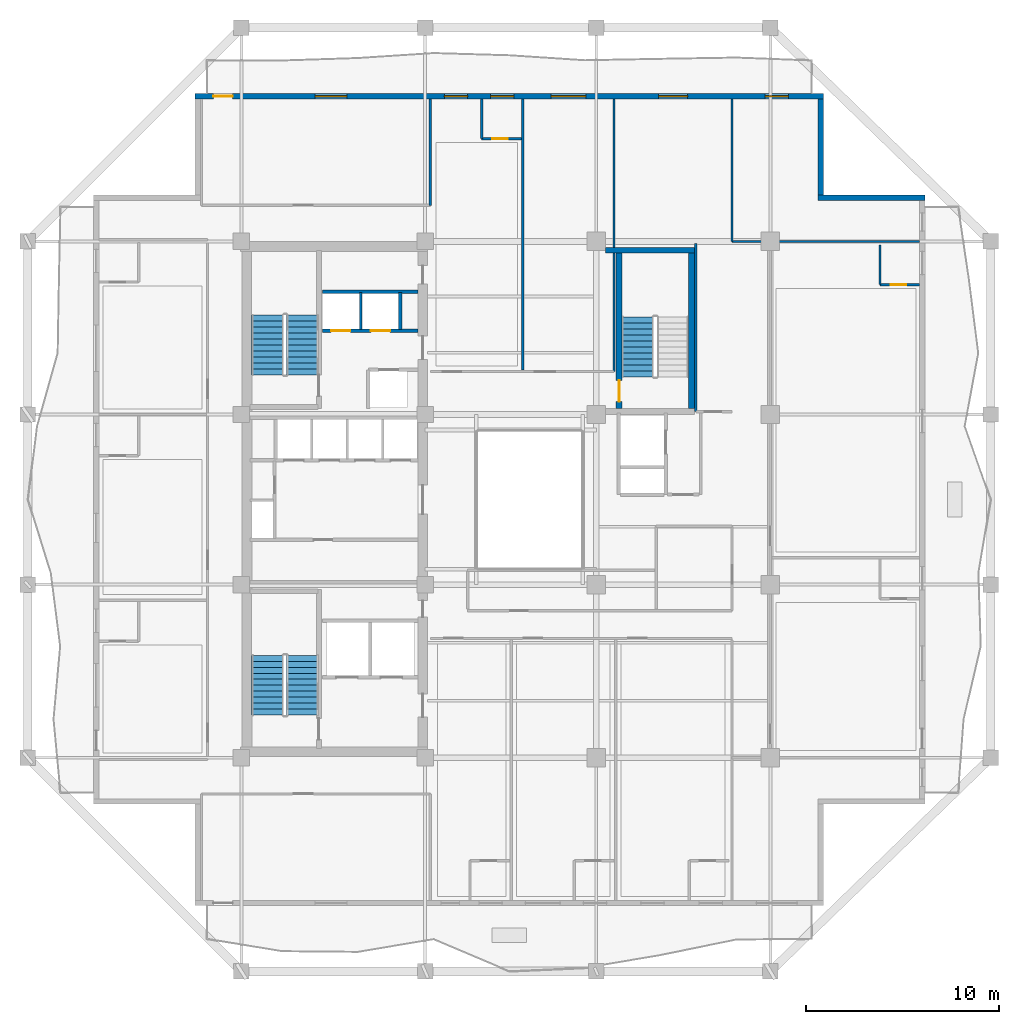
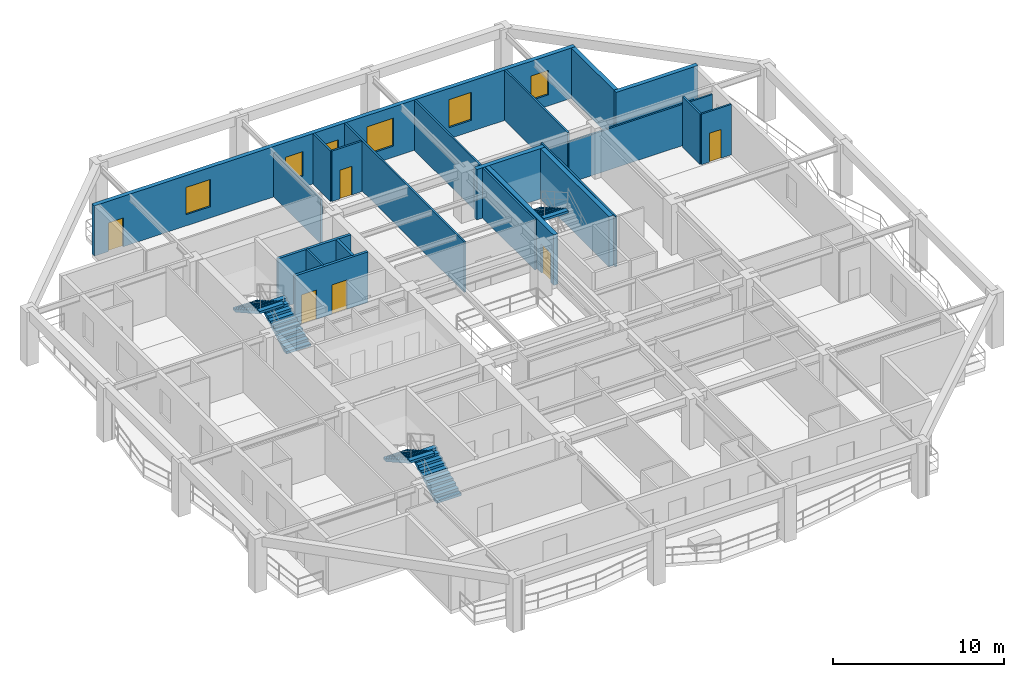
# One storey, part 6 of 12: 20 walls, 6 doors, 6 windows, 5 stair flights, 12 openings, 3 elements without a shape of their own.
"""IFC4 building model written with IfcOpenShell, lengths in metres."""

from ifc_helpers import new_model, si_unit, direction, frame, frame_2d, origin, place, context, subcontext, project, spatial, polyline, rectangle, outline, extrude, material, layer, layer_set, type_object, element, fill, aggregate, save


model = new_model("IFC4")

# Units and contexts
model_context = context("Model", 3, precision=1e-05, world=origin(), true_north=direction((0.0, 1.0)))
body_context = subcontext(model_context, "Body", "Model", "MODEL_VIEW")
ifc_project = project(units=[si_unit("LENGTHUNIT", "METRE"), si_unit("AREAUNIT", "SQUARE_METRE"), si_unit("VOLUMEUNIT", "CUBIC_METRE"), si_unit("PLANEANGLEUNIT", "RADIAN"), si_unit("MASSUNIT", "GRAM", prefix="KILO")], contexts=[model_context])

# Site, building, storey
site_placement = place(None, origin())
site = spatial("IfcSite", under=ifc_project, at=site_placement, CompositionType="ELEMENT")
building_placement = place(site_placement, origin())
building = spatial("IfcBuilding", under=site, at=building_placement, Name="Kundavana Baori Tower", CompositionType="ELEMENT")
storey_placement = place(building_placement, frame((0.0, 0.0, 173.300048828125)))
storey = spatial("IfcBuildingStorey", under=building, at=storey_placement, Name="L42", CompositionType="ELEMENT", Elevation=173.300048828125)

# Walls
ifc_material_1 = material(Name="Red-Buff Dholpur Sandstone Cladding on Concrete C40/50", Category="masonry")
ifc_layer_1 = layer(ifc_material_1, 0.280029296875, Name="WL-EXT-SAND-280")
ifc_layer_set_1 = layer_set([ifc_layer_1], Name="Red-Buff Dholpur Sandstone Cladding on Concrete C40/50")
wall_type_1 = type_object("IfcWallType", Name="WL-EXT-SAND-280", PredefinedType="STANDARD", material=ifc_layer_set_1)
wall_1_placement = place(storey_placement, frame((50.800048828125, 44.2099609375, 0.0), z_axis=(0.0, 0.0, 1.0), x_axis=(-1.0, 0.0, 0.0)))
element("IfcWall", 1, at=wall_1_placement, inside=storey, type_object=wall_type_1, Name="L42 Exterior Insulated Facade Wall 05", PredefinedType="STANDARD", context=body_context, shape_type="SweptSolid", body=[
    extrude(rectangle(XDim=5.530029296875, YDim=0.280029296875, at=frame_2d((2.76513671875, 0.0))), origin(), (0.0, 0.0, 1.0), 3.599853515625),
])
wall_2_placement = place(storey_placement, frame((45.409912109375, 44.35009765625, 0.0), z_axis=(0.0, 0.0, 1.0), x_axis=(0.0, 1.0, 0.0)))
element("IfcWall", 2, at=wall_2_placement, inside=storey, type_object=wall_type_1, Name="L42 Exterior Insulated Facade Wall 06", PredefinedType="STANDARD", context=body_context, shape_type="SweptSolid", body=[
    extrude(rectangle(XDim=4.969970703125, YDim=0.280029296875, at=frame_2d((2.48486328125, 0.0))), origin(), (0.0, 0.0, 1.0), 3.599853515625),
])

# Wall, openings, door, windows
wall_3_placement = place(storey_placement, frame((45.550048828125, 49.4599609375, 0.0), z_axis=(0.0, 0.0, 1.0), x_axis=(-1.0, 0.0, 0.0)))
wall_3 = element("IfcWall", 3, at=wall_3_placement, inside=storey, type_object=wall_type_1, Name="L42 Exterior Insulated Facade Wall 07", PredefinedType="STANDARD", context=body_context, shape_type="SweptSolid", body=[
    extrude(rectangle(XDim=32.5, YDim=0.280029296875, at=frame_2d((16.25, 0.0))), origin(), (0.0, 0.0, 1.0), 3.599853515625),
])
opening_1_placement = place(wall_3_placement, frame((30.550048828125, 0.0, 0.0)))
opening_1 = element("IfcOpeningElement", 4, at=opening_1_placement, cuts=wall_3, Name="Opening BD-1", PredefinedType="OPENING", context=body_context, shape_type="SweptSolid", body=[
    extrude(rectangle(XDim=1.0, YDim=2.050048828125, at=frame_2d((0.5, 1.02490234375))), frame((0.0, 0.14990234375, 0.0), z_axis=(0.0, -1.0, 0.0), x_axis=(1.0, 0.0, 0.0)), (0.0, 0.0, 1.0), 0.300048828125),
])
opening_2_placement = place(wall_3_placement, frame((24.64501953125, 0.0, 0.800048828125)))
opening_2 = element("IfcOpeningElement", 5, at=opening_2_placement, cuts=wall_3, Name="Opening W-08", PredefinedType="OPENING", context=body_context, shape_type="SweptSolid", body=[
    extrude(rectangle(XDim=1.64990234375, YDim=1.949951171875, at=frame_2d((0.824951171875, 0.97509765625))), frame((0.0, 0.14990234375, 0.0), z_axis=(0.0, -1.0, 0.0), x_axis=(1.0, 0.0, 0.0)), (0.0, 0.0, 1.0), 0.300048828125),
])
opening_3_placement = place(wall_3_placement, frame((18.405029296875, 0.0, 0.800048828125)))
opening_3 = element("IfcOpeningElement", 6, at=opening_3_placement, cuts=wall_3, Name="Opening W-03", PredefinedType="OPENING", context=body_context, shape_type="SweptSolid", body=[
    extrude(rectangle(XDim=1.199951171875, YDim=1.75, at=frame_2d((0.60009765625, 0.875))), frame((0.0, 0.14990234375, 0.0), z_axis=(0.0, -1.0, 0.0), x_axis=(1.0, 0.0, 0.0)), (0.0, 0.0, 1.0), 0.300048828125),
])
opening_4_placement = place(wall_3_placement, frame((16.014892578125, 0.0, 0.800048828125)))
opening_4 = element("IfcOpeningElement", 7, at=opening_4_placement, cuts=wall_3, Name="Opening W-03", PredefinedType="OPENING", context=body_context, shape_type="SweptSolid", body=[
    extrude(rectangle(XDim=1.199951171875, YDim=1.75, at=frame_2d((0.60009765625, 0.875))), frame((0.0, 0.14990234375, 0.0), z_axis=(0.0, -1.0, 0.0), x_axis=(1.0, 0.0, 0.0)), (0.0, 0.0, 1.0), 0.300048828125),
])
opening_5_placement = place(wall_3_placement, frame((12.2900390625, 0.0, 0.800048828125)))
opening_5 = element("IfcOpeningElement", 8, at=opening_5_placement, cuts=wall_3, Name="Opening W-01", PredefinedType="OPENING", context=body_context, shape_type="SweptSolid", body=[
    extrude(rectangle(XDim=1.800048828125, YDim=2.0, at=frame_2d((0.89990234375, 1.0))), frame((0.0, 0.14990234375, 0.0), z_axis=(0.0, -1.0, 0.0), x_axis=(1.0, 0.0, 0.0)), (0.0, 0.0, 1.0), 0.300048828125),
])
opening_6_placement = place(wall_3_placement, frame((7.030029296875, 0.0, 0.800048828125)))
opening_6 = element("IfcOpeningElement", 9, at=opening_6_placement, cuts=wall_3, Name="Opening W-02", PredefinedType="OPENING", context=body_context, shape_type="SweptSolid", body=[
    extrude(rectangle(XDim=1.5, YDim=2.0, at=frame_2d((0.75, 1.0))), frame((0.0, 0.14990234375, 0.0), z_axis=(0.0, -1.0, 0.0), x_axis=(1.0, 0.0, 0.0)), (0.0, 0.0, 1.0), 0.300048828125),
])
opening_7_placement = place(wall_3_placement, frame((1.820068359375, 0.0, 0.800048828125)))
opening_7 = element("IfcOpeningElement", 10, at=opening_7_placement, cuts=wall_3, Name="Opening W-03", PredefinedType="OPENING", context=body_context, shape_type="SweptSolid", body=[
    extrude(rectangle(XDim=1.199951171875, YDim=1.75, at=frame_2d((0.60009765625, 0.875))), frame((0.0, 0.14990234375, 0.0), z_axis=(0.0, -1.0, 0.0), x_axis=(1.0, 0.0, 0.0)), (0.0, 0.0, 1.0), 0.300048828125),
])
ifc_material_2 = material(Name="Architectural Patinated Bronze Metalwork")
door_type_1 = type_object("IfcDoorType", Name="DR-EXT-LOG-1000", OperationType="NOTDEFINED", PredefinedType="DOOR", material=ifc_material_2)
door_1_placement = place(opening_1_placement, frame((1.0, 0.0, 0.0), z_axis=(0.0, 0.0, 1.0), x_axis=(-1.0, 0.0, 0.0)))
door_1 = element("IfcDoor", 11, at=door_1_placement, inside=storey, type_object=door_type_1, Name="L42 Loggia Balcony Access Door N", OperationType="SINGLE_SWING_LEFT", OverallHeight=2.050048828125, OverallWidth=1.0, PredefinedType="DOOR", context=body_context, shape_type="SweptSolid", body=[
    extrude(rectangle(XDim=1.0, YDim=2.050048828125, at=frame_2d((0.5, 1.02490234375))), frame((0.0, 0.02490234375, 0.0), z_axis=(0.0, -1.0, 0.0), x_axis=(1.0, 0.0, 0.0)), (0.0, 0.0, 1.0), 0.050048828125),
])
fill(opening_1, door_1)
ifc_material_3 = material(Name="Double-Glazed Solar-Control Low-E Insulated Glass", Category="glass")
window_type_1 = type_object("IfcWindowType", Name="WIN-LOG-1200x1750", PartitioningType="SINGLE_PANEL", PredefinedType="WINDOW", material=ifc_material_3)
window_1_placement = place(opening_3_placement, origin())
window_1 = element("IfcWindow", 12, at=window_1_placement, inside=storey, type_object=window_type_1, Name="L42 Recessed Loggia Window N-2", OverallHeight=1.75, OverallWidth=1.199951171875, PartitioningType="SINGLE_PANEL", PredefinedType="WINDOW", context=body_context, shape_type="SweptSolid", body=[
    extrude(rectangle(XDim=1.199951171875, YDim=1.75, at=frame_2d((0.60009765625, 0.875))), frame((0.0, 0.030029296875, 0.0), z_axis=(0.0, -1.0, 0.0), x_axis=(1.0, 0.0, 0.0)), (0.0, 0.0, 1.0), 0.06005859375),
])
fill(opening_3, window_1)
window_2_placement = place(opening_4_placement, origin())
window_2 = element("IfcWindow", 13, at=window_2_placement, inside=storey, type_object=window_type_1, Name="L42 Recessed Loggia Window N-3", OverallHeight=1.75, OverallWidth=1.199951171875, PartitioningType="SINGLE_PANEL", PredefinedType="WINDOW", context=body_context, shape_type="SweptSolid", body=[
    extrude(rectangle(XDim=1.199951171875, YDim=1.75, at=frame_2d((0.60009765625, 0.875))), frame((0.0, 0.030029296875, 0.0), z_axis=(0.0, -1.0, 0.0), x_axis=(1.0, 0.0, 0.0)), (0.0, 0.0, 1.0), 0.06005859375),
])
fill(opening_4, window_2)
window_3_placement = place(opening_7_placement, origin())
window_3 = element("IfcWindow", 14, at=window_3_placement, inside=storey, type_object=window_type_1, Name="L42 Recessed Loggia Window N-6", OverallHeight=1.75, OverallWidth=1.199951171875, PartitioningType="SINGLE_PANEL", PredefinedType="WINDOW", context=body_context, shape_type="SweptSolid", body=[
    extrude(rectangle(XDim=1.199951171875, YDim=1.75, at=frame_2d((0.60009765625, 0.875))), frame((0.0, 0.030029296875, 0.0), z_axis=(0.0, -1.0, 0.0), x_axis=(1.0, 0.0, 0.0)), (0.0, 0.0, 1.0), 0.06005859375),
])
fill(opening_7, window_3)
ifc_material_4 = material(Name="Double-Glazed Solar-Control Low-E Insulated Glass", Category="glass")
window_type_2 = type_object("IfcWindowType", Name="WIN-LOG-1500x2000", PartitioningType="SINGLE_PANEL", PredefinedType="WINDOW", material=ifc_material_4)
window_4_placement = place(opening_6_placement, origin())
window_4 = element("IfcWindow", 15, at=window_4_placement, inside=storey, type_object=window_type_2, Name="L42 Recessed Loggia Window N-5", OverallHeight=2.0, OverallWidth=1.5, PartitioningType="SINGLE_PANEL", PredefinedType="WINDOW", context=body_context, shape_type="SweptSolid", body=[
    extrude(rectangle(XDim=1.5, YDim=2.0, at=frame_2d((0.75, 1.0))), frame((0.0, 0.030029296875, 0.0), z_axis=(0.0, -1.0, 0.0), x_axis=(1.0, 0.0, 0.0)), (0.0, 0.0, 1.0), 0.06005859375),
])
fill(opening_6, window_4)
ifc_material_5 = material(Name="Double-Glazed Solar-Control Low-E Insulated Glass", Category="glass")
window_type_3 = type_object("IfcWindowType", Name="WIN-LOG-1650x1950", PartitioningType="SINGLE_PANEL", PredefinedType="WINDOW", material=ifc_material_5)
window_5_placement = place(opening_2_placement, origin())
window_5 = element("IfcWindow", 16, at=window_5_placement, inside=storey, type_object=window_type_3, Name="L42 Recessed Loggia Window N-1", OverallHeight=1.949951171875, OverallWidth=1.64990234375, PartitioningType="SINGLE_PANEL", PredefinedType="WINDOW", context=body_context, shape_type="SweptSolid", body=[
    extrude(rectangle(XDim=1.64990234375, YDim=1.949951171875, at=frame_2d((0.824951171875, 0.97509765625))), frame((0.0, 0.030029296875, 0.0), z_axis=(0.0, -1.0, 0.0), x_axis=(1.0, 0.0, 0.0)), (0.0, 0.0, 1.0), 0.06005859375),
])
fill(opening_2, window_5)
ifc_material_6 = material(Name="Double-Glazed Solar-Control Low-E Insulated Glass", Category="glass")
window_type_4 = type_object("IfcWindowType", Name="WIN-LOG-1800x2000", PartitioningType="SINGLE_PANEL", PredefinedType="WINDOW", material=ifc_material_6)
window_6_placement = place(opening_5_placement, origin())
window_6 = element("IfcWindow", 17, at=window_6_placement, inside=storey, type_object=window_type_4, Name="L42 Recessed Loggia Window N-4", OverallHeight=2.0, OverallWidth=1.800048828125, PartitioningType="SINGLE_PANEL", PredefinedType="WINDOW", context=body_context, shape_type="SweptSolid", body=[
    extrude(rectangle(XDim=1.800048828125, YDim=2.0, at=frame_2d((0.89990234375, 1.0))), frame((0.0, 0.030029296875, 0.0), z_axis=(0.0, -1.0, 0.0), x_axis=(1.0, 0.0, 0.0)), (0.0, 0.0, 1.0), 0.06005859375),
])
fill(opening_5, window_6)

# Walls
ifc_material_7 = material(Name="Acoustic Gypsum Plasterboard on Galvanised Steel Studs", Category="steel")
ifc_layer_2 = layer(ifc_material_7, 0.1201171875, Name="WL-PART-120")
ifc_layer_set_2 = layer_set([ifc_layer_2], Name="Acoustic Gypsum Plasterboard on Galvanised Steel Studs")
wall_type_2 = type_object("IfcWallType", Name="WL-PART-120", PredefinedType="PARTITIONING", material=ifc_layer_set_2)
wall_4_placement = place(storey_placement, frame((21.6201171875, 37.39990234375, 0.0), z_axis=(0.0, 0.0, 1.0), x_axis=(0.0, 1.0, 0.0)))
element("IfcWall", 18, at=wall_4_placement, inside=storey, type_object=wall_type_2, Name="WL-L42-HR-DIV1", PredefinedType="PARTITIONING", context=body_context, shape_type="SweptSolid", body=[
    extrude(rectangle(XDim=1.900146484375, YDim=0.1201171875, at=frame_2d((0.9501953125, 0.0))), origin(), (0.0, 0.0, 1.0), 3.599853515625),
])
wall_5_placement = place(storey_placement, frame((40.820068359375, 41.949951171875, 0.0), z_axis=(0.0, 0.0, 1.0), x_axis=(1.0, 0.0, 0.0)))
element("IfcWall", 19, at=wall_5_placement, inside=storey, type_object=wall_type_2, Name="WL-L42-HEN", PredefinedType="PARTITIONING", context=body_context, shape_type="SweptSolid", body=[
    extrude(rectangle(XDim=9.699951171875, YDim=0.1201171875, at=frame_2d((4.85009765625, 0.0))), origin(), (0.0, 0.0, 1.0), 2.949951171875),
])
wall_6_placement = place(storey_placement, frame((25.219970703125, 43.820068359375, 0.0), z_axis=(0.0, 0.0, 1.0), x_axis=(0.0, 1.0, 0.0)))
element("IfcWall", 20, at=wall_6_placement, inside=storey, type_object=wall_type_2, Name="WL-L42-HNCE", PredefinedType="PARTITIONING", context=body_context, shape_type="SweptSolid", body=[
    extrude(rectangle(XDim=5.5, YDim=0.1201171875, at=frame_2d((2.75, 0.0))), origin(), (0.0, 0.0, 1.0), 3.14990234375),
])
wall_7_placement = place(storey_placement, frame((34.719970703125, 35.219970703125, 0.0), z_axis=(0.0, 0.0, 1.0), x_axis=(0.0, 1.0, 0.0)))
element("IfcWall", 21, at=wall_7_placement, inside=storey, type_object=wall_type_2, Name="WL-L42-HNEND", PredefinedType="PARTITIONING", context=body_context, shape_type="SweptSolid", body=[
    extrude(rectangle(XDim=14.10009765625, YDim=0.1201171875, at=frame_2d((7.050048828125, 0.0))), origin(), (0.0, 0.0, 1.0), 3.599853515625),
])
wall_8_placement = place(storey_placement, frame((30.0, 35.300048828125, 0.0), z_axis=(0.0, 0.0, 1.0), x_axis=(0.0, 1.0, 0.0)))
element("IfcWall", 22, at=wall_8_placement, inside=storey, type_object=wall_type_2, Name="WL-L42-HND1", PredefinedType="PARTITIONING", context=body_context, shape_type="SweptSolid", body=[
    extrude(rectangle(XDim=14.02001953125, YDim=0.1201171875, at=frame_2d((7.010009765625, 0.0))), origin(), (0.0, 0.0, 1.0), 3.599853515625),
])
wall_9_placement = place(storey_placement, frame((38.949951171875, 33.14990234375, 0.0), z_axis=(0.0, 0.0, 1.0), x_axis=(0.0, 1.0, 0.0)))
element("IfcWall", 23, at=wall_9_placement, inside=storey, type_object=wall_type_2, Name="WL-L42-HNEW", PredefinedType="PARTITIONING", context=body_context, shape_type="SweptSolid", body=[
    extrude(rectangle(XDim=8.7001953125, YDim=0.1201171875, at=frame_2d((4.35009765625, 0.0))), origin(), (0.0, 0.0, 1.0), 3.599853515625),
])
wall_10_placement = place(storey_placement, frame((40.820068359375, 41.949951171875, 0.0), z_axis=(0.0, 0.0, 1.0), x_axis=(0.0, 1.0, 0.0)))
element("IfcWall", 24, at=wall_10_placement, inside=storey, type_object=wall_type_2, Name="WL-L42-HNEE", PredefinedType="PARTITIONING", context=body_context, shape_type="SweptSolid", body=[
    extrude(rectangle(XDim=7.3701171875, YDim=0.1201171875, at=frame_2d((3.68505859375, 0.0))), origin(), (0.0, 0.0, 1.0), 3.599853515625),
])

# Wall, openings, doors
ifc_material_8 = material(Name="Autoclaved Aerated Concrete Blockwork Masonry", Category="masonry")
ifc_layer_3 = layer(ifc_material_8, 0.179931640625, Name="WL-SHAFT-180")
ifc_layer_set_3 = layer_set([ifc_layer_3], Name="Autoclaved Aerated Concrete Blockwork Masonry")
wall_type_3 = type_object("IfcWallType", Name="WL-SHAFT-180", PredefinedType="SOLIDWALL", material=ifc_layer_set_3)
wall_11_placement = place(storey_placement, frame((19.639892578125, 37.340087890625, 0.0), z_axis=(0.0, 0.0, 1.0), x_axis=(1.0, 0.0, 0.0)))
wall_11 = element("IfcWall", 25, at=wall_11_placement, inside=storey, type_object=wall_type_3, Name="WL-L42-HRLOB-N", PredefinedType="SOLIDWALL", context=body_context, shape_type="SweptSolid", body=[
    extrude(rectangle(XDim=4.940185546875, YDim=0.179931640625, at=frame_2d((2.47021484375, 0.0))), origin(), (0.0, 0.0, 1.0), 3.599853515625),
])
opening_8_placement = place(wall_11_placement, frame((0.449951171875, 0.0, 0.0)))
opening_8 = element("IfcOpeningElement", 26, at=opening_8_placement, cuts=wall_11, Name="Opening LD-100", PredefinedType="OPENING", context=body_context, shape_type="SweptSolid", body=[
    extrude(rectangle(XDim=1.0, YDim=2.10009765625, at=frame_2d((0.5, 1.050048828125))), frame((0.0, 0.10009765625, 0.0), z_axis=(0.0, -1.0, 0.0), x_axis=(1.0, 0.0, 0.0)), (0.0, 0.0, 1.0), 0.199951171875),
])
opening_9_placement = place(wall_11_placement, frame((2.5, 0.0, 0.0)))
opening_9 = element("IfcOpeningElement", 27, at=opening_9_placement, cuts=wall_11, Name="Opening LD-100", PredefinedType="OPENING", context=body_context, shape_type="SweptSolid", body=[
    extrude(rectangle(XDim=1.0, YDim=2.10009765625, at=frame_2d((0.5, 1.050048828125))), frame((0.0, 0.10009765625, 0.0), z_axis=(0.0, -1.0, 0.0), x_axis=(1.0, 0.0, 0.0)), (0.0, 0.0, 1.0), 0.199951171875),
])
ifc_material_9 = material(Name="Galvanised Steel Fire-Rated Door Leaf", Category="steel")
door_type_2 = type_object("IfcDoorType", Name="DR-SLIDE-LD1000", OperationType="NOTDEFINED", PredefinedType="DOOR", material=ifc_material_9)
door_2_placement = place(opening_8_placement, frame((1.0, 0.0, 0.0), z_axis=(0.0, 0.0, 1.0), x_axis=(-1.0, 0.0, 0.0)))
door_2 = element("IfcDoor", 28, at=door_2_placement, inside=storey, type_object=door_type_2, Name="DR-L42-LD-LP09", OperationType="DOUBLE_DOOR_SLIDING", OverallHeight=2.10009765625, OverallWidth=1.0, PredefinedType="DOOR", context=body_context, shape_type="SweptSolid", body=[
    extrude(rectangle(XDim=1.0, YDim=2.10009765625, at=frame_2d((0.5, 1.050048828125))), frame((0.0, 0.02490234375, 0.0), z_axis=(0.0, -1.0, 0.0), x_axis=(1.0, 0.0, 0.0)), (0.0, 0.0, 1.0), 0.050048828125),
])
fill(opening_8, door_2)
door_3_placement = place(opening_9_placement, frame((1.0, 0.0, 0.0), z_axis=(0.0, 0.0, 1.0), x_axis=(-1.0, 0.0, 0.0)))
door_3 = element("IfcDoor", 29, at=door_3_placement, inside=storey, type_object=door_type_2, Name="DR-L42-LD-LP10", OperationType="DOUBLE_DOOR_SLIDING", OverallHeight=2.10009765625, OverallWidth=1.0, PredefinedType="DOOR", context=body_context, shape_type="SweptSolid", body=[
    extrude(rectangle(XDim=1.0, YDim=2.10009765625, at=frame_2d((0.5, 1.050048828125))), frame((0.0, 0.02490234375, 0.0), z_axis=(0.0, -1.0, 0.0), x_axis=(1.0, 0.0, 0.0)), (0.0, 0.0, 1.0), 0.050048828125),
])
fill(opening_9, door_3)

# Walls
wall_12_placement = place(storey_placement, frame((19.639892578125, 39.360107421875, 0.0), z_axis=(0.0, 0.0, 1.0), x_axis=(1.0, 0.0, 0.0)))
element("IfcWall", 30, at=wall_12_placement, inside=storey, type_object=wall_type_3, Name="WL-L42-HRLOB-TOP", PredefinedType="SOLIDWALL", context=body_context, shape_type="SweptSolid", body=[
    extrude(rectangle(XDim=4.940185546875, YDim=0.179931640625, at=frame_2d((2.47021484375, 0.0))), origin(), (0.0, 0.0, 1.0), 3.599853515625),
])
wall_13_placement = place(storey_placement, frame((23.659912109375, 37.39990234375, 0.0), z_axis=(0.0, 0.0, 1.0), x_axis=(0.0, 1.0, 0.0)))
element("IfcWall", 31, at=wall_13_placement, inside=storey, type_object=wall_type_3, Name="WL-L42-HR-DIV2", PredefinedType="SOLIDWALL", context=body_context, shape_type="SweptSolid", body=[
    extrude(rectangle(XDim=1.900146484375, YDim=0.179931640625, at=frame_2d((0.9501953125, 0.0))), origin(), (0.0, 0.0, 1.0), 3.599853515625),
])
ifc_material_10 = material(Name="Concrete C50/60", Category="concrete")
ifc_layer_4 = layer(ifc_material_10, 0.300048828125, Name="WL-ST3-300")
ifc_layer_set_4 = layer_set([ifc_layer_4], Name="Concrete C50/60")
wall_type_4 = type_object("IfcWallType", Name="WL-ST3-300", PredefinedType="SHEAR", material=ifc_layer_set_4)
wall_14_placement = place(storey_placement, frame((34.27490234375, 41.489990234375, 0.0), z_axis=(0.0, 0.0, 1.0), x_axis=(1.0, 0.0, 0.0)))
element("IfcWall", 32, at=wall_14_placement, inside=storey, type_object=wall_type_4, Name="L42 Stair ST3 North Shear Wall", PredefinedType="SHEAR", context=body_context, shape_type="SweptSolid", body=[
    extrude(rectangle(XDim=4.59521484375, YDim=0.300048828125, at=frame_2d((2.297607421875, 0.0))), origin(), (0.0, 0.0, 1.0), 3.599853515625),
])

# Wall, opening, door
wall_15_placement = place(storey_placement, frame((34.97998046875, 33.31005859375, 0.0), z_axis=(0.0, 0.0, 1.0), x_axis=(0.0, 1.0, 0.0)))
wall_15 = element("IfcWall", 33, at=wall_15_placement, inside=storey, type_object=wall_type_4, Name="L42 Stair ST3 West Shear Wall", PredefinedType="SHEAR", context=body_context, shape_type="SweptSolid", body=[
    extrude(rectangle(XDim=8.030029296875, YDim=0.300048828125, at=frame_2d((4.01513671875, 0.0))), origin(), (0.0, 0.0, 1.0), 3.599853515625),
])
opening_10_placement = place(wall_15_placement, frame((0.35009765625, 0.0, 0.0)))
opening_10 = element("IfcOpeningElement", 34, at=opening_10_placement, cuts=wall_15, Name="Opening FD-110", PredefinedType="OPENING", context=body_context, shape_type="SweptSolid", body=[
    extrude(rectangle(XDim=1.10009765625, YDim=2.10009765625, at=frame_2d((0.550048828125, 1.050048828125))), frame((0.0, 0.16015625, 0.0), z_axis=(0.0, -1.0, 0.0), x_axis=(1.0, 0.0, 0.0)), (0.0, 0.0, 1.0), 0.320068359375),
])
ifc_material_11 = material(Name="Galvanised Steel Fire-Rated Door Leaf", Category="steel")
door_type_3 = type_object("IfcDoorType", Name="DR-FD120-1100", OperationType="NOTDEFINED", PredefinedType="DOOR", material=ifc_material_11)
door_4_placement = place(opening_10_placement, origin())
door_4 = element("IfcDoor", 35, at=door_4_placement, inside=storey, type_object=door_type_3, Name="DR-L42-ST3-W", OperationType="SINGLE_SWING_LEFT", OverallHeight=2.10009765625, OverallWidth=1.10009765625, PredefinedType="DOOR", context=body_context, shape_type="SweptSolid", body=[
    extrude(rectangle(XDim=1.10009765625, YDim=2.10009765625, at=frame_2d((0.550048828125, 1.050048828125))), frame((0.0, 0.02490234375, 0.0), z_axis=(0.0, -1.0, 0.0), x_axis=(1.0, 0.0, 0.0)), (0.0, 0.0, 1.0), 0.050048828125),
])
fill(opening_10, door_4)

# Walls
wall_16_placement = place(storey_placement, frame((38.719970703125, 33.31005859375, 0.0), z_axis=(0.0, 0.0, 1.0), x_axis=(0.0, 1.0, 0.0)))
element("IfcWall", 36, at=wall_16_placement, inside=storey, type_object=wall_type_4, Name="L42 Stair ST3 East Shear Wall", PredefinedType="SHEAR", context=body_context, shape_type="SweptSolid", body=[
    extrude(rectangle(XDim=8.030029296875, YDim=0.300048828125, at=frame_2d((4.01513671875, 0.0))), origin(), (0.0, 0.0, 1.0), 3.599853515625),
])
ifc_material_12 = material(Name="Autoclaved Aerated Concrete Blockwork Masonry", Category="masonry")
ifc_layer_5 = layer(ifc_material_12, 0.125, Name="WL-WET-120")
ifc_layer_set_5 = layer_set([ifc_layer_5], Name="Autoclaved Aerated Concrete Blockwork Masonry")
wall_type_5 = type_object("IfcWallType", Name="WL-WET-120", PredefinedType="PLUMBINGWALL", material=ifc_layer_set_5)
wall_17_placement = place(storey_placement, frame((48.469970703125, 39.719970703125, 0.0), z_axis=(0.0, 0.0, 1.0), x_axis=(0.0, 1.0, 0.0)))
element("IfcWall", 37, at=wall_17_placement, inside=storey, type_object=wall_type_5, Name="WL-L42-HK-E2-BW", PredefinedType="PLUMBINGWALL", context=body_context, shape_type="SweptSolid", body=[
    extrude(rectangle(XDim=2.050048828125, YDim=0.125, at=frame_2d((1.02490234375, 0.0))), origin(), (0.0, 0.0, 1.0), 3.599853515625),
])

# Wall, opening, door
wall_18_placement = place(storey_placement, frame((48.469970703125, 39.719970703125, 0.0), z_axis=(0.0, 0.0, 1.0), x_axis=(1.0, 0.0, 0.0)))
wall_18 = element("IfcWall", 38, at=wall_18_placement, inside=storey, type_object=wall_type_5, Name="WL-L42-HK-E2-BS", PredefinedType="PLUMBINGWALL", context=body_context, shape_type="SweptSolid", body=[
    extrude(rectangle(XDim=2.050048828125, YDim=0.125, at=frame_2d((1.02490234375, 0.0))), origin(), (0.0, 0.0, 1.0), 3.599853515625),
])
opening_11_placement = place(wall_18_placement, frame((0.550048828125, 0.0, 0.0)))
opening_11 = element("IfcOpeningElement", 39, at=opening_11_placement, cuts=wall_18, Name="Opening WD-080", PredefinedType="OPENING", context=body_context, shape_type="SweptSolid", body=[
    extrude(rectangle(XDim=0.800048828125, YDim=2.050048828125, at=frame_2d((0.39990234375, 1.02490234375))), frame((0.0, 0.072509765625, 0.0), z_axis=(0.0, -1.0, 0.0), x_axis=(1.0, 0.0, 0.0)), (0.0, 0.0, 1.0), 0.14501953125),
])
ifc_material_13 = material(Name="Engineered Teak Solid-Core Timber Veneer", Category="wood")
door_type_4 = type_object("IfcDoorType", Name="DR-WET-800", OperationType="NOTDEFINED", PredefinedType="DOOR", material=ifc_material_13)
door_5_placement = place(opening_11_placement, frame((0.800048828125, 0.0, 0.0), z_axis=(0.0, 0.0, 1.0), x_axis=(-1.0, 0.0, 0.0)))
door_5 = element("IfcDoor", 40, at=door_5_placement, inside=storey, type_object=door_type_4, Name="DR-L42-HK-E2-ENS", OperationType="SINGLE_SWING_LEFT", OverallHeight=2.050048828125, OverallWidth=0.800048828125, PredefinedType="DOOR", context=body_context, shape_type="SweptSolid", body=[
    extrude(rectangle(XDim=0.800048828125, YDim=2.050048828125, at=frame_2d((0.39990234375, 1.02490234375))), frame((0.0, 0.02490234375, 0.0), z_axis=(0.0, -1.0, 0.0), x_axis=(1.0, 0.0, 0.0)), (0.0, 0.0, 1.0), 0.050048828125),
])
fill(opening_11, door_5)

# Wall
wall_19_placement = place(storey_placement, frame((27.8701171875, 47.27001953125, 0.0), z_axis=(0.0, 0.0, 1.0), x_axis=(0.0, 1.0, 0.0)))
element("IfcWall", 41, at=wall_19_placement, inside=storey, type_object=wall_type_5, Name="WL-L42-HK-N1-BW", PredefinedType="PLUMBINGWALL", context=body_context, shape_type="SweptSolid", body=[
    extrude(rectangle(XDim=2.050048828125, YDim=0.125, at=frame_2d((1.02490234375, 0.0))), origin(), (0.0, 0.0, 1.0), 3.599853515625),
])

# Wall, opening, door
wall_20_placement = place(storey_placement, frame((27.8701171875, 47.27001953125, 0.0), z_axis=(0.0, 0.0, 1.0), x_axis=(1.0, 0.0, 0.0)))
wall_20 = element("IfcWall", 42, at=wall_20_placement, inside=storey, type_object=wall_type_5, Name="WL-L42-HK-N1-BS", PredefinedType="PLUMBINGWALL", context=body_context, shape_type="SweptSolid", body=[
    extrude(rectangle(XDim=2.0498046875, YDim=0.125, at=frame_2d((1.02490234375, 0.0))), origin(), (0.0, 0.0, 1.0), 3.599853515625),
])
opening_12_placement = place(wall_20_placement, frame((0.550048828125, 0.0, 0.0)))
opening_12 = element("IfcOpeningElement", 43, at=opening_12_placement, cuts=wall_20, Name="Opening WD-080", PredefinedType="OPENING", context=body_context, shape_type="SweptSolid", body=[
    extrude(rectangle(XDim=0.800048828125, YDim=2.050048828125, at=frame_2d((0.39990234375, 1.02490234375))), frame((0.0, 0.072509765625, 0.0), z_axis=(0.0, -1.0, 0.0), x_axis=(1.0, 0.0, 0.0)), (0.0, 0.0, 1.0), 0.14501953125),
])
door_6_placement = place(opening_12_placement, frame((0.800048828125, 0.0, 0.0), z_axis=(0.0, 0.0, 1.0), x_axis=(-1.0, 0.0, 0.0)))
door_6 = element("IfcDoor", 44, at=door_6_placement, inside=storey, type_object=door_type_4, Name="DR-L42-HK-N1-ENS", OperationType="SINGLE_SWING_LEFT", OverallHeight=2.050048828125, OverallWidth=0.800048828125, PredefinedType="DOOR", context=body_context, shape_type="SweptSolid", body=[
    extrude(rectangle(XDim=0.800048828125, YDim=2.050048828125, at=frame_2d((0.39990234375, 1.02490234375))), frame((0.0, 0.02490234375, 0.0), z_axis=(0.0, -1.0, 0.0), x_axis=(1.0, 0.0, 0.0)), (0.0, 0.0, 1.0), 0.050048828125),
])
fill(opening_12, door_6)

# Stair, stair flights
ifc_material_14 = material(Name="Concrete C40/50", Category="concrete")
stair_type = type_object("IfcStairType", Name="STR-DOG-1650", PredefinedType="HALF_TURN_STAIR", material=ifc_material_14)
stair_1_placement = place(storey_placement, origin())
stair_1 = element("IfcStair", 45, at=stair_1_placement, inside=storey, type_object=stair_type, Name="L42 Protected Exit Stair ST1", PredefinedType="HALF_TURN_STAIR")
ifc_material_15 = material(Name="Concrete C40/50", Category="concrete")
stair_flight_type = type_object("IfcStairFlightType", Name="SFL-RC-1650", PredefinedType="STRAIGHT", material=ifc_material_15)
stair_flight_1_placement = place(storey_placement, frame((18.614990234375, 17.449951171875, 0.0), z_axis=(0.0, 0.0, 1.0), x_axis=(0.0, 1.0, 0.0)))
stair_flight_1 = element("IfcStairFlight", 46, at=stair_flight_1_placement, type_object=stair_flight_type, Name="ST1 flight 1", NumberOfRisers=11, NumberOfTreads=10, PredefinedType="STRAIGHT", RiserHeight=0.175, TreadLength=0.31, context=body_context, shape_type="SweptSolid", body=[
    extrude(outline(polyline([(0.0, 0.0), (0.0, 0.175048828125), (0.31005859375, 0.175048828125), (0.31005859375, 0.35009765625), (0.6201171875, 0.35009765625), (0.6201171875, 0.52490234375), (0.929931640625, 0.52490234375), (0.929931640625, 0.699951171875), (1.239990234375, 0.699951171875), (1.239990234375, 0.875), (1.550048828125, 0.875), (1.550048828125, 1.050048828125), (1.860107421875, 1.050048828125), (1.860107421875, 1.22509765625), (2.169921875, 1.22509765625), (2.169921875, 1.39990234375), (2.47998046875, 1.39990234375), (2.47998046875, 1.574951171875), (2.7900390625, 1.574951171875), (2.7900390625, 1.75), (3.10009765625, 1.75), (3.10009765625, 1.925048828125), (3.10009765625, 1.577880859375), (0.304931640625, 0.0), (0.0, 0.0)])), frame((0.0, 0.824951171875, 0.0), z_axis=(0.0, -1.0, 0.0), x_axis=(1.0, 0.0, 0.0)), (0.0, 0.0, 1.0), 1.64990234375),
])
stair_flight_2_placement = place(storey_placement, frame((16.804931640625, 20.550048828125, 1.925048828125), z_axis=(0.0, 0.0, 1.0), x_axis=(0.0, -1.0, 0.0)))
stair_flight_2 = element("IfcStairFlight", 47, at=stair_flight_2_placement, type_object=stair_flight_type, Name="ST1 flight 2", NumberOfRisers=11, NumberOfTreads=10, PredefinedType="STRAIGHT", RiserHeight=0.175, TreadLength=0.31, context=body_context, shape_type="SweptSolid", body=[
    extrude(outline(polyline([(0.0, 0.0), (0.0, 0.175048828125), (0.31005859375, 0.175048828125), (0.31005859375, 0.35009765625), (0.6201171875, 0.35009765625), (0.6201171875, 0.52490234375), (0.929931640625, 0.52490234375), (0.929931640625, 0.699951171875), (1.239990234375, 0.699951171875), (1.239990234375, 0.875), (1.550048828125, 0.875), (1.550048828125, 1.050048828125), (1.860107421875, 1.050048828125), (1.860107421875, 1.22509765625), (2.169921875, 1.22509765625), (2.169921875, 1.39990234375), (2.47998046875, 1.39990234375), (2.47998046875, 1.574951171875), (2.7900390625, 1.574951171875), (2.7900390625, 1.75), (3.10009765625, 1.75), (3.10009765625, 1.925048828125), (3.10009765625, 1.577880859375), (0.304931640625, 0.0), (0.0, 0.0)])), frame((0.0, 0.824951171875, 0.0), z_axis=(0.0, -1.0, 0.0), x_axis=(1.0, 0.0, 0.0)), (0.0, 0.0, 1.0), 1.64990234375),
])
aggregate(stair_1, [stair_flight_1, stair_flight_2])

stair_2_placement = place(storey_placement, origin())
stair_2 = element("IfcStair", 48, at=stair_2_placement, inside=storey, type_object=stair_type, Name="L42 Protected Exit Stair ST2", PredefinedType="HALF_TURN_STAIR")
stair_flight_3_placement = place(storey_placement, frame((18.614990234375, 35.050048828125, 0.0), z_axis=(0.0, 0.0, 1.0), x_axis=(0.0, 1.0, 0.0)))
stair_flight_3 = element("IfcStairFlight", 49, at=stair_flight_3_placement, type_object=stair_flight_type, Name="ST2 flight 1", NumberOfRisers=11, NumberOfTreads=10, PredefinedType="STRAIGHT", RiserHeight=0.175, TreadLength=0.31, context=body_context, shape_type="SweptSolid", body=[
    extrude(outline(polyline([(0.0, 0.0), (0.0, 0.175048828125), (0.31005859375, 0.175048828125), (0.31005859375, 0.35009765625), (0.6201171875, 0.35009765625), (0.6201171875, 0.52490234375), (0.929931640625, 0.52490234375), (0.929931640625, 0.699951171875), (1.239990234375, 0.699951171875), (1.239990234375, 0.875), (1.550048828125, 0.875), (1.550048828125, 1.050048828125), (1.860107421875, 1.050048828125), (1.860107421875, 1.22509765625), (2.169921875, 1.22509765625), (2.169921875, 1.39990234375), (2.47998046875, 1.39990234375), (2.47998046875, 1.574951171875), (2.7900390625, 1.574951171875), (2.7900390625, 1.75), (3.10009765625, 1.75), (3.10009765625, 1.925048828125), (3.10009765625, 1.577880859375), (0.304931640625, 0.0), (0.0, 0.0)])), frame((0.0, 0.824951171875, 0.0), z_axis=(0.0, -1.0, 0.0), x_axis=(1.0, 0.0, 0.0)), (0.0, 0.0, 1.0), 1.64990234375),
])
stair_flight_4_placement = place(storey_placement, frame((16.804931640625, 38.14990234375, 1.925048828125), z_axis=(0.0, 0.0, 1.0), x_axis=(0.0, -1.0, 0.0)))
stair_flight_4 = element("IfcStairFlight", 50, at=stair_flight_4_placement, type_object=stair_flight_type, Name="ST2 flight 2", NumberOfRisers=11, NumberOfTreads=10, PredefinedType="STRAIGHT", RiserHeight=0.175, TreadLength=0.31, context=body_context, shape_type="SweptSolid", body=[
    extrude(outline(polyline([(0.0, 0.0), (0.0, 0.175048828125), (0.31005859375, 0.175048828125), (0.31005859375, 0.35009765625), (0.6201171875, 0.35009765625), (0.6201171875, 0.52490234375), (0.929931640625, 0.52490234375), (0.929931640625, 0.699951171875), (1.239990234375, 0.699951171875), (1.239990234375, 0.875), (1.550048828125, 0.875), (1.550048828125, 1.050048828125), (1.860107421875, 1.050048828125), (1.860107421875, 1.22509765625), (2.169921875, 1.22509765625), (2.169921875, 1.39990234375), (2.47998046875, 1.39990234375), (2.47998046875, 1.574951171875), (2.7900390625, 1.574951171875), (2.7900390625, 1.75), (3.10009765625, 1.75), (3.10009765625, 1.925048828125), (3.10009765625, 1.577880859375), (0.304931640625, 0.0), (0.0, 0.0)])), frame((0.0, 0.824951171875, 0.0), z_axis=(0.0, -1.0, 0.0), x_axis=(1.0, 0.0, 0.0)), (0.0, 0.0, 1.0), 1.64990234375),
])
aggregate(stair_2, [stair_flight_3, stair_flight_4])

# Stair, stair flight
stair_3_placement = place(storey_placement, origin())
stair_3 = element("IfcStair", 51, at=stair_3_placement, inside=storey, type_object=stair_type, Name="L42 Protected Exit Stair ST3", PredefinedType="HALF_TURN_STAIR")
stair_flight_5_placement = place(storey_placement, frame((35.945068359375, 38.050048828125, 1.925048828125), z_axis=(0.0, 0.0, 1.0), x_axis=(0.0, -1.0, 0.0)))
stair_flight_5 = element("IfcStairFlight", 52, at=stair_flight_5_placement, type_object=stair_flight_type, Name="ST3 flight 2", NumberOfRisers=11, NumberOfTreads=10, PredefinedType="STRAIGHT", RiserHeight=0.175, TreadLength=0.31, context=body_context, shape_type="SweptSolid", body=[
    extrude(outline(polyline([(0.0, 0.0), (0.0, 0.175048828125), (0.31005859375, 0.175048828125), (0.31005859375, 0.35009765625), (0.6201171875, 0.35009765625), (0.6201171875, 0.52490234375), (0.929931640625, 0.52490234375), (0.929931640625, 0.699951171875), (1.239990234375, 0.699951171875), (1.239990234375, 0.875), (1.550048828125, 0.875), (1.550048828125, 1.050048828125), (1.860107421875, 1.050048828125), (1.860107421875, 1.22509765625), (2.169921875, 1.22509765625), (2.169921875, 1.39990234375), (2.47998046875, 1.39990234375), (2.47998046875, 1.574951171875), (2.7900390625, 1.574951171875), (2.7900390625, 1.75), (3.10009765625, 1.75), (3.10009765625, 1.925048828125), (3.10009765625, 1.577880859375), (0.304931640625, 0.0), (0.0, 0.0)])), frame((0.0, 0.824951171875, 0.0), z_axis=(0.0, -1.0, 0.0), x_axis=(1.0, 0.0, 0.0)), (0.0, 0.0, 1.0), 1.64990234375),
])
aggregate(stair_3, [stair_flight_5])

save(model, "model.ifc")
